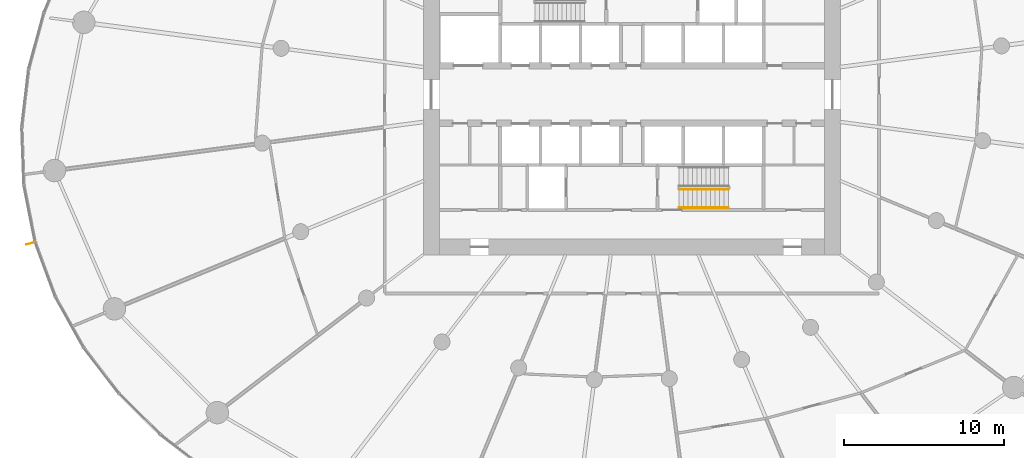
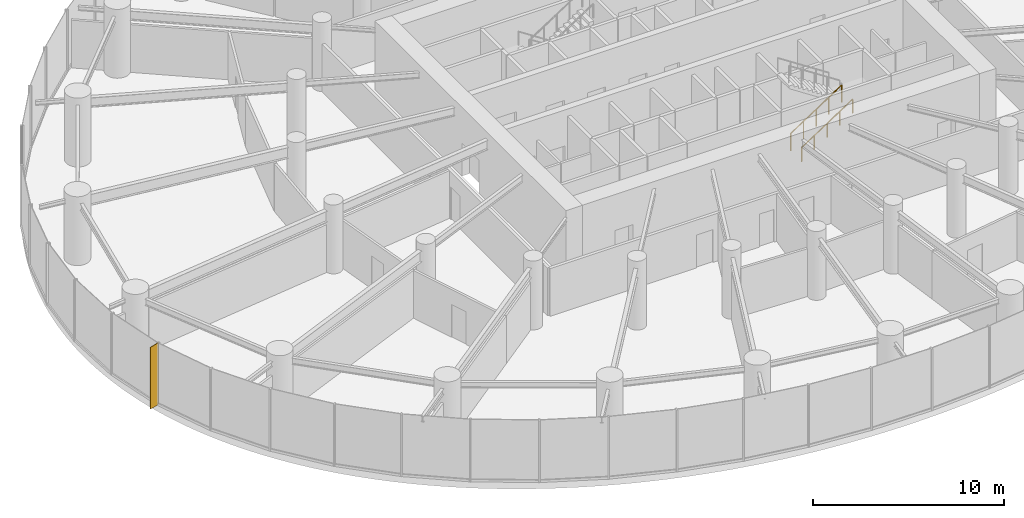
# One storey, part 17 of 19: 2 railings, 1 shading device.
"""IFC4 building model written with IfcOpenShell, lengths in metres."""

import ifcopenshell
import ifcopenshell.guid

model = None  # the IFC model being written
_history = None  # IfcOwnerHistory: only IFC2X3 demands one
_inside = {}  # id of a spatial element -> (the spatial element, [elements in it])
_under = {}  # id of a project, library or spatial element -> (it, [spatial elements below it])
_declared = {}  # id of a project -> (the project, [libraries it declares])
_typed = {}  # id of a type object -> (the type object, [elements of that type])
_made_of = {}  # id of a material, layer set ... -> (it, [elements and type objects made of it])


def new_model(schema):
    """Start an empty IFC model of exactly this schema.

    Asked for "IFC4X3", IfcOpenShell would pick the latest addendum, in which some entities
    have other attributes; the version numbers below select the first issue.
    IFC2X3 requires an IfcOwnerHistory on every rooted entity: one is made here for all.
    """
    global model, _history
    if schema == "IFC4X3":
        model = ifcopenshell.file(schema_version=(4, 3, 0, 0))
    else:
        model = ifcopenshell.file(schema=schema)
    _inside.clear()
    _under.clear()
    _declared.clear()
    _typed.clear()
    _made_of.clear()
    _history = None
    if model.schema == "IFC2X3":
        org = make("IfcOrganization", Name="unknown")
        user = make(
            "IfcPersonAndOrganization",
            ThePerson=make("IfcPerson", FamilyName="unknown"),
            TheOrganization=org,
        )
        app = make(
            "IfcApplication",
            ApplicationDeveloper=org,
            Version="unknown",
            ApplicationFullName="unknown",
            ApplicationIdentifier="unknown",
        )
        _history = make(
            "IfcOwnerHistory",
            OwningUser=user,
            OwningApplication=app,
            ChangeAction="ADDED",
            CreationDate=0,
        )
    return model


def make(cls, **values):
    """One entity of the class cls with the attributes given. An attribute that is None is left unset."""
    return model.create_entity(
        cls, **{name: value for name, value in values.items() if value is not None}
    )


def rooted(cls, **values):
    """An entity with a GlobalId (a new one), such as an element, a storey or a relation."""
    return make(cls, GlobalId=ifcopenshell.guid.new(), OwnerHistory=_history, **values)


def si_unit(unit_type, name, prefix=None):
    """IfcSIUnit, for example si_unit("LENGTHUNIT", "METRE", prefix="MILLI")."""
    return make("IfcSIUnit", UnitType=unit_type, Prefix=prefix, Name=name)


def assignment(units):
    """IfcUnitAssignment: the units of a project."""
    return None if units is None else make("IfcUnitAssignment", Units=units)


def point(xyz):
    """IfcCartesianPoint."""
    return None if xyz is None else make("IfcCartesianPoint", Coordinates=xyz)


def direction(xyz):
    """IfcDirection."""
    return None if xyz is None else make("IfcDirection", DirectionRatios=xyz)


def frame(location, z_axis=None, x_axis=None):
    """IfcAxis2Placement3D, a coordinate frame: its origin and axes. An axis left out is left unset."""
    return make(
        "IfcAxis2Placement3D",
        Location=point(location),
        Axis=direction(z_axis),
        RefDirection=direction(x_axis),
    )


def frame_2d(location, x_axis=None):
    """IfcAxis2Placement2D, a coordinate frame in the plane: its origin and x axis."""
    return make(
        "IfcAxis2Placement2D", Location=point(location), RefDirection=direction(x_axis)
    )


def origin():
    """The frame at (0, 0, 0) with its axes left unset."""
    return frame((0.0, 0.0, 0.0))


def origin_2d():
    """The frame at (0, 0) in the plane with its x axis left unset."""
    return frame_2d((0.0, 0.0))


def place(relative_to, where):
    """IfcLocalPlacement: puts the frame where relative to a parent placement (None: the world)."""
    return make(
        "IfcLocalPlacement", PlacementRelTo=relative_to, RelativePlacement=where
    )


def context(
    kind, dimensions, precision=None, world=None, true_north=None, identifier=None
):
    """IfcGeometricRepresentationContext, for example the 3D "Model" context."""
    return make(
        "IfcGeometricRepresentationContext",
        ContextIdentifier=identifier,
        ContextType=kind,
        CoordinateSpaceDimension=dimensions,
        Precision=precision,
        WorldCoordinateSystem=world,
        TrueNorth=true_north,
    )


def subcontext(parent, identifier, kind, view, scale=None):
    """IfcGeometricRepresentationSubContext, for example "Body" below "Model"."""
    return make(
        "IfcGeometricRepresentationSubContext",
        ContextIdentifier=identifier,
        ContextType=kind,
        ParentContext=parent,
        TargetScale=scale,
        TargetView=view,
    )


def project(units=None, contexts=None):
    """IfcProject with its units and contexts."""
    return rooted(
        "IfcProject",
        Name="project",
        RepresentationContexts=contexts,
        UnitsInContext=assignment(units),
    )


def spatial(cls, under=None, at=None, **own):
    """A site, building, storey or space (cls), placed at a placement, below another one or the project."""
    s = rooted(cls, ObjectPlacement=at, **own)
    if under is not None:
        _under.setdefault(under.id(), (under, []))[1].append(s)
    return s


def profile(cls, at=None, kind="AREA", **sizes):
    """A parametric profile (cls). Its sizes go by their IFC names, for example OverallWidth=200.0."""
    return make(cls, ProfileType=kind, Position=at, **sizes)


def rectangle(**sizes):
    """IfcRectangleProfileDef."""
    return profile("IfcRectangleProfileDef", **sizes)


def circle(**sizes):
    """IfcCircleProfileDef."""
    return profile("IfcCircleProfileDef", **sizes)


def extrude(swept, where, along, depth):
    """IfcExtrudedAreaSolid: the profile swept, set in the frame where, extruded along a direction by depth."""
    return make(
        "IfcExtrudedAreaSolid",
        SweptArea=swept,
        Position=where,
        ExtrudedDirection=direction(along),
        Depth=depth,
    )


def shape(context_of_items, identifier, shape_type, items):
    """IfcShapeRepresentation: the items that make up one representation, for example the "Body"."""
    return make(
        "IfcShapeRepresentation",
        ContextOfItems=context_of_items,
        RepresentationIdentifier=identifier,
        RepresentationType=shape_type,
        Items=items,
    )


def source(mapping_origin, context_of_items, identifier, shape_type, items):
    """IfcRepresentationMap: a shape defined once, which mapped items show again and again."""
    return make(
        "IfcRepresentationMap",
        MappingOrigin=mapping_origin,
        MappedRepresentation=shape(context_of_items, identifier, shape_type, items),
    )


def transform(
    local_origin,
    x_axis=None,
    y_axis=None,
    z_axis=None,
    scale=None,
    scale2=None,
    scale3=None,
    uniform=True,
):
    """IfcCartesianTransformationOperator3D, or its non-uniform kind. x_axis, y_axis, z_axis: its Axis1, 2, 3."""
    if uniform:
        return make(
            "IfcCartesianTransformationOperator3D",
            Axis1=direction(x_axis),
            Axis2=direction(y_axis),
            LocalOrigin=point(local_origin),
            Scale=scale,
            Axis3=direction(z_axis),
        )
    return make(
        "IfcCartesianTransformationOperator3DnonUniform",
        Axis1=direction(x_axis),
        Axis2=direction(y_axis),
        LocalOrigin=point(local_origin),
        Scale=scale,
        Axis3=direction(z_axis),
        Scale2=scale2,
        Scale3=scale3,
    )


def mapped(mapping_source, mapping_target):
    """IfcMappedItem: shows the shape of a source again, moved by a transform."""
    return make(
        "IfcMappedItem", MappingSource=mapping_source, MappingTarget=mapping_target
    )


def material(Name=None, Category=None):
    """IfcMaterial."""
    return make("IfcMaterial", Name=Name, Category=Category)


def material_profile(
    of_material, cross_section, Name=None, Category=None, Priority=None
):
    """IfcMaterialProfile: a cross section and its material."""
    return make(
        "IfcMaterialProfile",
        Name=Name,
        Material=of_material,
        Profile=cross_section,
        Priority=Priority,
        Category=Category,
    )


def profile_set(profiles, Name=None, composite=None):
    """IfcMaterialProfileSet."""
    return make(
        "IfcMaterialProfileSet",
        Name=Name,
        MaterialProfiles=profiles,
        CompositeProfile=composite,
    )


def made_of(thing, what):
    """Note that an element or type object is made of a material, layer set ...; save() writes the relation."""
    if what is not None:
        _made_of.setdefault(what.id(), (what, []))[1].append(thing)
    return thing


def type_object(cls, material=None, **own):
    """A type object (cls), such as IfcWallType, which elements share."""
    return made_of(rooted(cls, **own), material)


def element(
    cls,
    number,
    at=None,
    inside=None,
    cuts=None,
    type_object=None,
    material=None,
    context=None,
    identifier="Body",
    shape_type=None,
    held_by="IfcProductDefinitionShape",
    body=None,
    shapes=None,
    **own,
):
    """One element of the class cls, such as IfcWall. Its Tag is "e" and its number.

    at: its placement. inside: the storey or other place that contains it. cuts: it is an
    opening in that element (IfcRelVoidsElement). A single representation is given by context,
    identifier, shape_type and body (its items); several are given by shapes. held_by: the class
    of the entity that holds the representations. save() writes the other relations.
    """
    e = rooted(cls, Tag="e%d" % number, ObjectPlacement=at, **own)
    if body is not None:
        shapes = [shape(context, identifier, shape_type, body)]
    if shapes is not None:
        e.Representation = make(held_by, Representations=shapes)
    if inside is not None:
        _inside.setdefault(inside.id(), (inside, []))[1].append(e)
    if cuts is not None:
        rooted(
            "IfcRelVoidsElement", RelatingBuildingElement=cuts, RelatedOpeningElement=e
        )
    if type_object is not None:
        _typed.setdefault(type_object.id(), (type_object, []))[1].append(e)
    return made_of(e, material)


def aggregate(whole, parts):
    """IfcRelAggregates: a whole, such as a stair, and the parts it consists of."""
    return rooted("IfcRelAggregates", RelatingObject=whole, RelatedObjects=parts)


def save(model, path):
    """Write the relations noted so far, then the file.

    IfcRelAggregates (storeys below a building ...), IfcRelContainedInSpatialStructure (elements
    in a storey), IfcRelDefinesByType, IfcRelAssociatesMaterial and IfcRelDeclares: one each for
    every whole, place, type object, material and project.
    """
    for whole, parts in _under.values():
        aggregate(whole, parts)
    for where, things in _inside.values():
        rooted(
            "IfcRelContainedInSpatialStructure",
            RelatedElements=things,
            RelatingStructure=where,
        )
    for kind, things in _typed.values():
        rooted("IfcRelDefinesByType", RelatedObjects=things, RelatingType=kind)
    for what, things in _made_of.values():
        rooted("IfcRelAssociatesMaterial", RelatedObjects=things, RelatingMaterial=what)
    for by, libraries in _declared.values():
        rooted("IfcRelDeclares", RelatingContext=by, RelatedDefinitions=libraries)
    model.write(path)


model = new_model("IFC4")

# Units and contexts
model_context = context("Model", 3, precision=1e-05, world=origin(), true_north=direction((0.0, 1.0)))
body_context = subcontext(model_context, "Body", "Model", "MODEL_VIEW")
ifc_project = project(units=[si_unit("LENGTHUNIT", "METRE"), si_unit("AREAUNIT", "SQUARE_METRE"), si_unit("VOLUMEUNIT", "CUBIC_METRE"), si_unit("PLANEANGLEUNIT", "RADIAN"), si_unit("MASSUNIT", "GRAM", prefix="KILO")], contexts=[model_context])

# Site, building, storey
site_placement = place(None, origin())
site = spatial("IfcSite", under=ifc_project, at=site_placement, CompositionType="ELEMENT")
building_placement = place(site_placement, origin())
building = spatial("IfcBuilding", under=site, at=building_placement, Name="Spindrift Exchange Tower", CompositionType="ELEMENT")
storey_placement = place(building_placement, frame((0.0, 0.0, 57.800048828125)))
storey = spatial("IfcBuildingStorey", under=building, at=storey_placement, Name="L13", CompositionType="ELEMENT", Elevation=57.800048828125)

# Railings
ifc_material_1 = material(Name="Steel balustrade", Category="steel")
railing_type_1 = type_object("IfcRailingType", Name="RL-STAIR-GUARD", PredefinedType="GUARDRAIL", material=ifc_material_1)
railing_1_placement = place(storey_placement, frame((54.949951171875, 42.10009765625, 0.183349609375)))
element("IfcRailing", 1, at=railing_1_placement, inside=storey, type_object=railing_type_1, Name="L13 ST2 stair guard 1", PredefinedType="GUARDRAIL", context=body_context, shape_type="SweptSolid", body=[
    extrude(circle(Radius=0.02392578125, at=origin_2d()), frame((0.0, 0.0, 1.076171875), z_axis=(0.836633000464, 0.0, 0.547763838287), x_axis=(0.0, 1.0, 0.0)), (0.0, 0.0, 1.0), 3.681396484375),
    extrude(circle(Radius=0.02099609375, at=origin_2d()), origin(), (0.0, 0.0, 1.0), 1.052001953125),
    extrude(circle(Radius=0.02099609375, at=origin_2d()), frame((0.77001953125, 0.0, 0.504150390625)), (0.0, 0.0, 1.0), 1.052001953125),
    extrude(circle(Radius=0.02099609375, at=origin_2d()), frame((1.5400390625, 0.0, 1.00830078125)), (0.0, 0.0, 1.0), 1.052001953125),
    extrude(circle(Radius=0.02099609375, at=origin_2d()), frame((2.31005859375, 0.0, 1.512451171875)), (0.0, 0.0, 1.0), 1.052001953125),
    extrude(circle(Radius=0.02099609375, at=origin_2d()), frame((3.080078125, 0.0, 2.0166015625)), (0.0, 0.0, 1.0), 1.052001953125),
])
ifc_material_2 = material(Name="Steel tubular handrail", Category="steel")
railing_type_2 = type_object("IfcRailingType", Name="RL-STAIR-HAND", PredefinedType="HANDRAIL", material=ifc_material_2)
railing_2_placement = place(storey_placement, frame((54.949951171875, 40.949951171875, 0.183349609375)))
element("IfcRailing", 2, at=railing_2_placement, inside=storey, type_object=railing_type_2, Name="L13 ST2 stair handrail 1", PredefinedType="HANDRAIL", context=body_context, shape_type="SweptSolid", body=[
    extrude(circle(Radius=0.02392578125, at=origin_2d()), frame((0.0, 0.0, 0.8759765625), z_axis=(0.836633000464, 0.0, 0.547763838287), x_axis=(0.0, 1.0, 0.0)), (0.0, 0.0, 1.0), 3.681396484375),
    extrude(circle(Radius=0.02099609375, at=origin_2d()), origin(), (0.0, 0.0, 1.0), 0.851806640625),
    extrude(circle(Radius=0.02099609375, at=origin_2d()), frame((0.77001953125, 0.0, 0.504150390625)), (0.0, 0.0, 1.0), 0.851806640625),
    extrude(circle(Radius=0.02099609375, at=origin_2d()), frame((1.5400390625, 0.0, 1.00830078125)), (0.0, 0.0, 1.0), 0.851806640625),
    extrude(circle(Radius=0.02099609375, at=origin_2d()), frame((2.31005859375, 0.0, 1.512451171875)), (0.0, 0.0, 1.0), 0.851806640625),
    extrude(circle(Radius=0.02099609375, at=origin_2d()), frame((3.080078125, 0.0, 2.0166015625)), (0.0, 0.0, 1.0), 0.851806640625),
])

# Shading device
ifc_material_3 = material(Name="Bronze anodised aluminium", Category="aluminium")
ifc_material_profile = material_profile(ifc_material_3, rectangle(XDim=0.030029296875, YDim=0.60009765625, at=origin_2d()), Name="WIND FIN 30X600")
ifc_profile_set = profile_set([ifc_material_profile], Name="Bronze anodised aluminium")
shading_device_type = type_object("IfcShadingDeviceType", Name="WIND FIN 30X600", PredefinedType="USERDEFINED", material=ifc_profile_set)
shared_shape = source(origin(), body_context, "Body", "SweptSolid", [
    extrude(rectangle(XDim=0.030029296875, YDim=0.60009765625, at=origin_2d()), origin(), (0.0, 0.0, 1.0), 3.949951171875),
])
shading_device_placement = place(storey_placement, frame((14.53955078125, 38.730224609375, 0.0), z_axis=(0.0, 0.0, 1.0), x_axis=(0.271047353739, -0.962566014376, 0.0)))
element("IfcShadingDevice", 3, at=shading_device_placement, inside=storey, type_object=shading_device_type, Name="L13 wind fin 1", ObjectType="FIN", PredefinedType="USERDEFINED", context=body_context, shape_type="MappedRepresentation", body=[
    mapped(shared_shape, transform((0.0, 0.0, 0.0), scale=1.0)),
])

save(model, "model.ifc")
